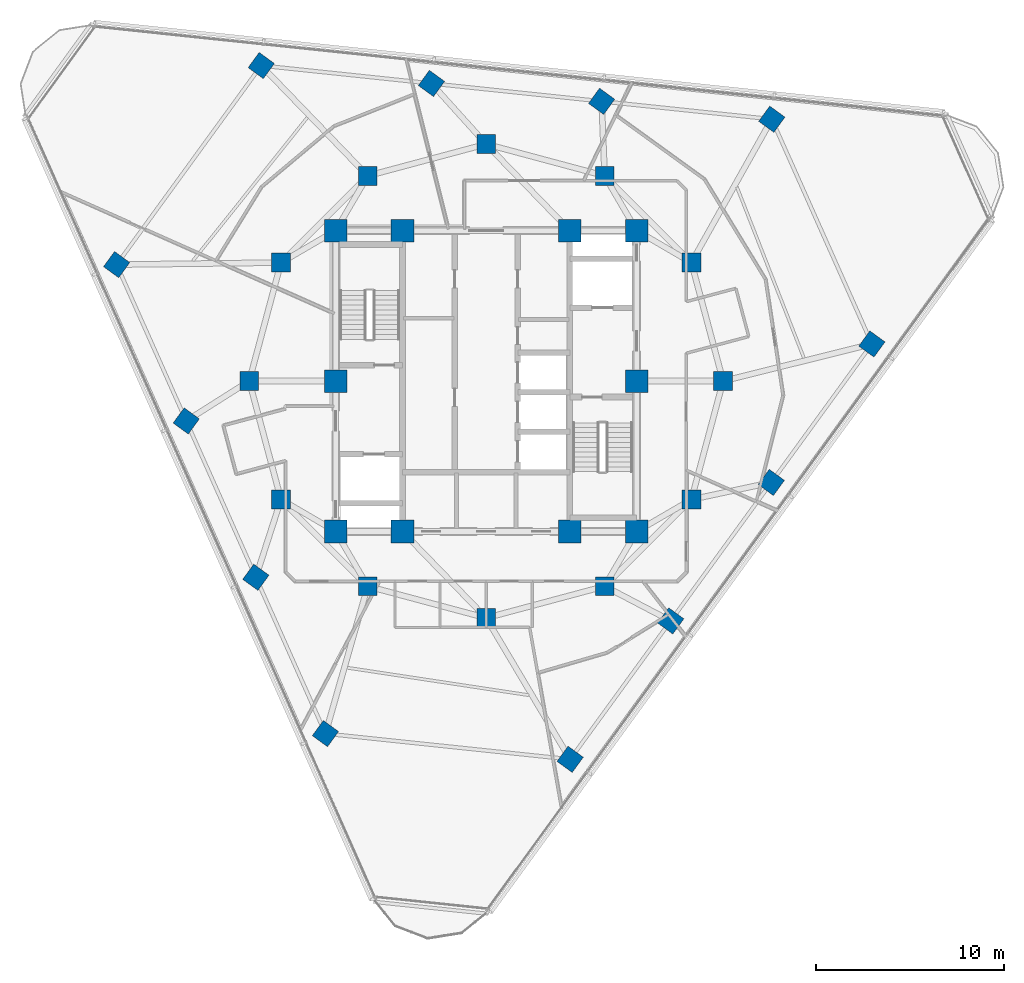
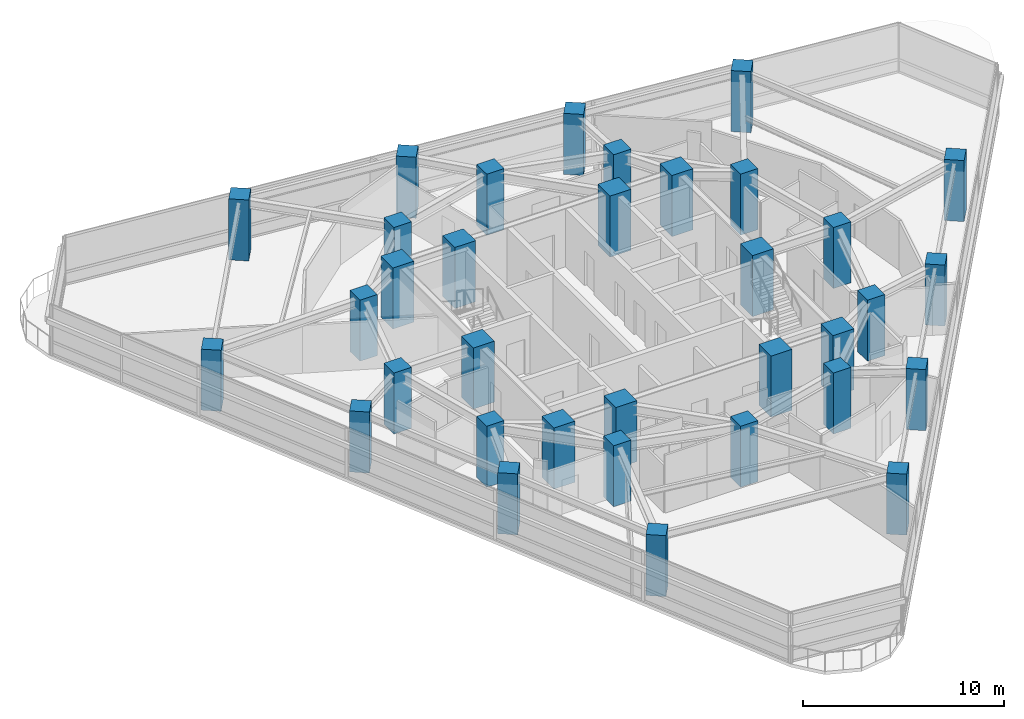
# One storey, part 1 of 15: 34 columns.
"""IFC4 building model written with IfcOpenShell, lengths in metres."""

from ifc_helpers import new_model, si_unit, direction, frame, origin, origin_2d, place, context, subcontext, project, spatial, rectangle, extrude, material, material_profile, profile_set, type_object, element, save


model = new_model("IFC4")

# Units and contexts
model_context = context("Model", 3, precision=1e-05, world=origin(), true_north=direction((0.0, 1.0)))
body_context = subcontext(model_context, "Body", "Model", "MODEL_VIEW")
ifc_project = project(units=[si_unit("LENGTHUNIT", "METRE"), si_unit("AREAUNIT", "SQUARE_METRE"), si_unit("VOLUMEUNIT", "CUBIC_METRE"), si_unit("PLANEANGLEUNIT", "RADIAN"), si_unit("MASSUNIT", "GRAM", prefix="KILO")], contexts=[model_context])

# Site, building, storey
site_placement = place(None, origin())
site = spatial("IfcSite", under=ifc_project, at=site_placement, CompositionType="ELEMENT")
building_placement = place(site_placement, origin())
building = spatial("IfcBuilding", under=site, at=building_placement, Name="Terralouvre Media Tower", CompositionType="ELEMENT")
storey_placement = place(building_placement, frame((0.0, 0.0, 233.699951171875)))
storey = spatial("IfcBuildingStorey", under=building, at=storey_placement, Name="L60", CompositionType="ELEMENT", Elevation=233.699951171875)

# Columns
ifc_material_1 = material(Name="Concrete C50/60", Category="concrete")
ifc_material_profile_1 = material_profile(ifc_material_1, rectangle(XDim=1.0, YDim=1.0, at=origin_2d()), Name="RC 1000x1000")
ifc_profile_set_1 = profile_set([ifc_material_profile_1], Name="Concrete C50/60")
column_type_1 = type_object("IfcColumnType", Name="Structural Column C-RC1000 (RC 1000x1000)", PredefinedType="COLUMN", material=ifc_profile_set_1)
for number, where, z_axis, x_axis, name in (
    (1, (12.60009765625, 0.0, 0.0), (0.0, 0.0, 1.0), (1.0, 0.0, 0.0), "L60 Mega-Frame Column MC01"),
    (2, (10.911865234375, 6.300048828125, 0.0), (0.0, 0.0, 1.0), (1.0, 0.0, 0.0), "L60 Mega-Frame Column MC02"),
    (3, (6.300048828125, 10.911865234375, 0.0), (0.0, 0.0, 1.0), (1.0, 0.0, 0.0), "L60 Mega-Frame Column MC03"),
    (4, (0.0, 12.60009765625, 0.0), (0.0, 0.0, 1.0), (1.0, 0.0, 0.0), "L60 Mega-Frame Column MC04"),
    (5, (-6.300048828125, 10.911865234375, 0.0), (0.0, 0.0, 1.0), (1.0, 0.0, 0.0), "L60 Mega-Frame Column MC05"),
    (6, (-10.911865234375, 6.300048828125, 0.0), (0.0, 0.0, 1.0), (1.0, 0.0, 0.0), "L60 Mega-Frame Column MC06"),
    (7, (-12.60009765625, 0.0, 0.0), (0.0, 0.0, 1.0), (1.0, 0.0, 0.0), "L60 Mega-Frame Column MC07"),
    (8, (-10.911865234375, -6.300048828125, 0.0), (0.0, 0.0, 1.0), (1.0, 0.0, 0.0), "L60 Mega-Frame Column MC08"),
    (9, (-6.300048828125, -10.911865234375, 0.0), (0.0, 0.0, 1.0), (1.0, 0.0, 0.0), "L60 Mega-Frame Column MC09"),
    (10, (0.0, -12.60009765625, 0.0), (0.0, 0.0, 1.0), (1.0, 0.0, 0.0), "L60 Mega-Frame Column MC10"),
    (11, (6.300048828125, -10.911865234375, 0.0), (0.0, 0.0, 1.0), (1.0, 0.0, 0.0), "L60 Mega-Frame Column MC11"),
    (12, (10.911865234375, -6.300048828125, 0.0), (0.0, 0.0, 1.0), (1.0, 0.0, 0.0), "L60 Mega-Frame Column MC12"),
    (13, (4.463623046875, -20.115478515625, 0.0), (0.0, 0.0, 1.0), (0.587785252292, 0.809016994375, 0.0), "L60 Perimeter Mega-Column PC11"),
    (14, (9.8125, -12.75341796875, 0.0), (0.0, 0.0, 1.0), (0.587785252292, 0.809016994375, 0.0), "L60 Perimeter Mega-Column PC12"),
    (15, (15.161376953125, -5.391357421875, 0.0), (0.0, 0.0, 1.0), (0.587785252292, 0.809016994375, 0.0), "L60 Perimeter Mega-Column PC13"),
    (16, (20.51025390625, 1.970703125, 0.0), (0.0, 0.0, 1.0), (0.587785252292, 0.809016994375, 0.0), "L60 Perimeter Mega-Column PC14"),
    (17, (15.1884765625, 13.92333984375, 0.0), (0.0, 0.0, 1.0), (0.587785252292, 0.809016994375, 0.0), "L60 Perimeter Mega-Column PC21"),
    (18, (6.138427734375, 14.87451171875, 0.0), (0.0, 0.0, 1.0), (0.587785252292, 0.809016994375, 0.0), "L60 Perimeter Mega-Column PC22"),
    (19, (-2.91162109375, 15.82568359375, 0.0), (0.0, 0.0, 1.0), (0.587785252292, 0.809016994375, 0.0), "L60 Perimeter Mega-Column PC23"),
    (20, (-11.9619140625, 16.77685546875, 0.0), (0.0, 0.0, 1.0), (0.587785252292, 0.809016994375, 0.0), "L60 Perimeter Mega-Column PC24"),
    (21, (-19.65234375, 6.192138671875, 0.0), (0.0, 0.0, 1.0), (0.587785252292, 0.809016994375, 0.0), "L60 Perimeter Mega-Column PC31"),
    (22, (-15.950927734375, -2.121337890625, 0.0), (0.0, 0.0, 1.0), (0.587785252292, 0.809016994375, 0.0), "L60 Perimeter Mega-Column PC32"),
    (23, (-12.249755859375, -10.4345703125, 0.0), (0.0, 0.0, 1.0), (0.587785252292, 0.809016994375, 0.0), "L60 Perimeter Mega-Column PC33"),
    (24, (-8.54833984375, -18.747802734375, 0.0), (0.0, 0.0, 1.0), (0.587785252292, 0.809016994375, 0.0), "L60 Perimeter Mega-Column PC34"),
):
    element("IfcColumn", number, at=place(storey_placement, frame(where, z_axis=z_axis, x_axis=x_axis)), inside=storey, type_object=column_type_1, Name=name, PredefinedType="COLUMN", context=body_context, shape_type="SweptSolid", body=[
        extrude(rectangle(XDim=1.0, YDim=1.0, at=origin_2d()), origin(), (0.0, 0.0, 1.0), 3.699951171875),
    ])
ifc_material_2 = material(Name="Concrete C60/75", Category="concrete")
ifc_material_profile_2 = material_profile(ifc_material_2, rectangle(XDim=1.199951171875, YDim=1.199951171875, at=origin_2d()), Name="RC 1200x1200")
ifc_profile_set_2 = profile_set([ifc_material_profile_2], Name="Concrete C60/75")
column_type_2 = type_object("IfcColumnType", Name="Structural Column C-RC1200 (RC 1200x1200)", PredefinedType="COLUMN", material=ifc_profile_set_2)
for number, where, z_axis, x_axis, name in (
    (25, (-8.0, -8.0, 0.0), (0.0, 0.0, 1.0), (1.0, 0.0, 0.0), "L60 Core Pilaster Column CP1"),
    (26, (-4.449951171875, -8.0, 0.0), (0.0, 0.0, 1.0), (1.0, 0.0, 0.0), "L60 Core Pilaster Column CP2"),
    (27, (4.449951171875, -8.0, 0.0), (0.0, 0.0, 1.0), (1.0, 0.0, 0.0), "L60 Core Pilaster Column CP10"),
    (28, (8.0, -8.0, 0.0), (0.0, 0.0, 1.0), (1.0, 0.0, 0.0), "L60 Core Pilaster Column CP3"),
    (29, (8.0, 0.0, 0.0), (0.0, 0.0, 1.0), (1.0, 0.0, 0.0), "L60 Core Pilaster Column CP4"),
    (30, (8.0, 8.0, 0.0), (0.0, 0.0, 1.0), (1.0, 0.0, 0.0), "L60 Core Pilaster Column CP5"),
    (31, (4.449951171875, 8.0, 0.0), (0.0, 0.0, 1.0), (1.0, 0.0, 0.0), "L60 Core Pilaster Column CP9"),
    (32, (-4.449951171875, 8.0, 0.0), (0.0, 0.0, 1.0), (1.0, 0.0, 0.0), "L60 Core Pilaster Column CP6"),
    (33, (-8.0, 8.0, 0.0), (0.0, 0.0, 1.0), (1.0, 0.0, 0.0), "L60 Core Pilaster Column CP7"),
    (34, (-8.0, 0.0, 0.0), (0.0, 0.0, 1.0), (1.0, 0.0, 0.0), "L60 Core Pilaster Column CP8"),
):
    element("IfcColumn", number, at=place(storey_placement, frame(where, z_axis=z_axis, x_axis=x_axis)), inside=storey, type_object=column_type_2, Name=name, PredefinedType="COLUMN", context=body_context, shape_type="SweptSolid", body=[
        extrude(rectangle(XDim=1.199951171875, YDim=1.199951171875, at=origin_2d()), origin(), (0.0, 0.0, 1.0), 3.699951171875),
    ])

save(model, "model.ifc")
